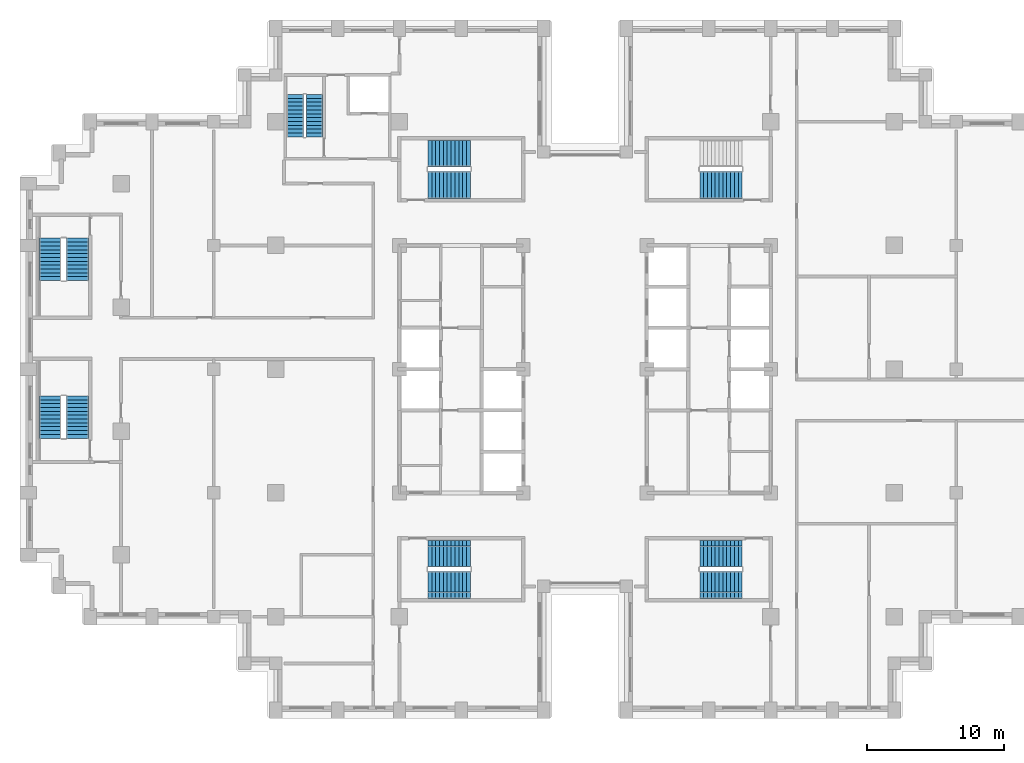
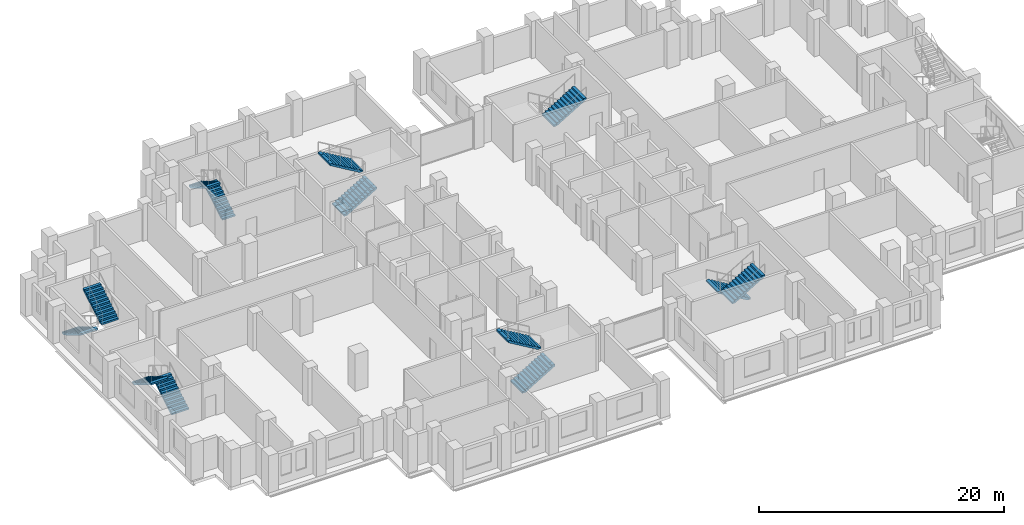
# One storey, part 13 of 16: 13 stair flights, 7 elements without a shape of their own.
"""IFC4 building model written with IfcOpenShell, lengths in metres."""

from ifc_helpers import new_model, si_unit, direction, frame, origin, place, context, subcontext, project, spatial, polyline, outline, extrude, material, type_object, element, aggregate, save


model = new_model("IFC4")

# Units and contexts
model_context = context("Model", 3, precision=1e-05, world=origin(), true_north=direction((0.0, 1.0)))
body_context = subcontext(model_context, "Body", "Model", "MODEL_VIEW")
ifc_project = project(units=[si_unit("LENGTHUNIT", "METRE"), si_unit("AREAUNIT", "SQUARE_METRE"), si_unit("VOLUMEUNIT", "CUBIC_METRE"), si_unit("PLANEANGLEUNIT", "RADIAN"), si_unit("MASSUNIT", "GRAM", prefix="KILO")], contexts=[model_context])

# Site, building, storey
site_placement = place(None, origin())
site = spatial("IfcSite", under=ifc_project, at=site_placement, CompositionType="ELEMENT")
building_placement = place(site_placement, origin())
building = spatial("IfcBuilding", under=site, at=building_placement, Name="Corbelhall Arena Tower", CompositionType="ELEMENT")
storey_placement = place(building_placement, frame((0.0, 0.0, 76.0)))
storey = spatial("IfcBuildingStorey", under=building, at=storey_placement, Name="L11", CompositionType="ELEMENT", Elevation=76.0)

# Stair, stair flights
ifc_material = material(Name="Concrete C40/50", Category="concrete")
stair_type = type_object("IfcStairType", Name="IN-ST-TOWER", PredefinedType="HALF_TURN_STAIR", material=ifc_material)
stair_1_placement = place(storey_placement, origin())
stair_1 = element("IfcStair", 1, at=stair_1_placement, inside=storey, type_object=stair_type, Name="L11 Exit stair ST1", PredefinedType="HALF_TURN_STAIR")
stair_flight_type = type_object("IfcStairFlightType", Name="IN-SFL-RC", PredefinedType="STRAIGHT", material=ifc_material)
stair_flight_1_placement = place(storey_placement, frame((-11.425048828125, 13.39990234375, 0.0), z_axis=(0.0, 0.0, 1.0), x_axis=(1.0, 0.0, 0.0)))
stair_flight_1 = element("IfcStairFlight", 2, at=stair_flight_1_placement, type_object=stair_flight_type, Name="ST1 flight 1", NumberOfRisers=12, NumberOfTreads=11, PredefinedType="STRAIGHT", RiserHeight=0.166666667, TreadLength=0.28, context=body_context, shape_type="SweptSolid", body=[
    extrude(outline(polyline([(0.0, 0.0), (0.0, 0.166748046875), (0.280029296875, 0.166748046875), (0.280029296875, 0.333251953125), (0.56005859375, 0.333251953125), (0.56005859375, 0.5), (0.840087890625, 0.5), (0.840087890625, 0.666748046875), (1.1201171875, 0.666748046875), (1.1201171875, 0.833251953125), (1.39990234375, 0.833251953125), (1.39990234375, 1.0), (1.679931640625, 1.0), (1.679931640625, 1.166748046875), (1.9599609375, 1.166748046875), (1.9599609375, 1.333251953125), (2.239990234375, 1.333251953125), (2.239990234375, 1.5), (2.52001953125, 1.5), (2.52001953125, 1.666748046875), (2.800048828125, 1.666748046875), (2.800048828125, 1.833251953125), (3.080078125, 1.833251953125), (3.080078125, 2.0), (3.080078125, 1.658935546875), (0.29296875, 0.0), (0.0, 0.0)])), frame((0.0, 0.97509765625, 0.0), z_axis=(0.0, -1.0, 0.0), x_axis=(1.0, 0.0, 0.0)), (0.0, 0.0, 1.0), 0.449951171875),
    extrude(outline(polyline([(0.0, 0.0), (0.0, 0.166748046875), (0.280029296875, 0.166748046875), (0.280029296875, 0.333251953125), (0.56005859375, 0.333251953125), (0.56005859375, 0.5), (0.840087890625, 0.5), (0.840087890625, 0.666748046875), (1.1201171875, 0.666748046875), (1.1201171875, 0.833251953125), (1.39990234375, 0.833251953125), (1.39990234375, 1.0), (1.679931640625, 1.0), (1.679931640625, 1.166748046875), (1.9599609375, 1.166748046875), (1.9599609375, 1.333251953125), (2.239990234375, 1.333251953125), (2.239990234375, 1.5), (2.52001953125, 1.5), (2.52001953125, 1.666748046875), (2.800048828125, 1.666748046875), (2.800048828125, 1.833251953125), (3.080078125, 1.833251953125), (3.080078125, 2.0), (3.080078125, 1.658935546875), (0.29296875, 0.0), (0.0, 0.0)])), frame((0.0, 0.52099609375, 0.0), z_axis=(0.0, -1.0, 0.0), x_axis=(1.0, 0.0, 0.0)), (0.0, 0.0, 1.0), 1.0419921875),
    extrude(outline(polyline([(0.0, 0.0), (0.0, 0.166748046875), (0.280029296875, 0.166748046875), (0.280029296875, 0.333251953125), (0.56005859375, 0.333251953125), (0.56005859375, 0.5), (0.840087890625, 0.5), (0.840087890625, 0.666748046875), (1.1201171875, 0.666748046875), (1.1201171875, 0.833251953125), (1.39990234375, 0.833251953125), (1.39990234375, 1.0), (1.679931640625, 1.0), (1.679931640625, 1.166748046875), (1.9599609375, 1.166748046875), (1.9599609375, 1.333251953125), (2.239990234375, 1.333251953125), (2.239990234375, 1.5), (2.52001953125, 1.5), (2.52001953125, 1.666748046875), (2.800048828125, 1.666748046875), (2.800048828125, 1.833251953125), (3.080078125, 1.833251953125), (3.080078125, 2.0), (3.080078125, 1.658935546875), (0.29296875, 0.0), (0.0, 0.0)])), frame((0.0, -0.52490234375, 0.0), z_axis=(0.0, -1.0, 0.0), x_axis=(1.0, 0.0, 0.0)), (0.0, 0.0, 1.0), 0.449951171875),
])
stair_flight_2_placement = place(storey_placement, frame((-8.344970703125, 15.699951171875, 2.0), z_axis=(0.0, 0.0, 1.0), x_axis=(-1.0, 0.0, 0.0)))
stair_flight_2 = element("IfcStairFlight", 3, at=stair_flight_2_placement, type_object=stair_flight_type, Name="ST1 flight 2", NumberOfRisers=12, NumberOfTreads=11, PredefinedType="STRAIGHT", RiserHeight=0.166666667, TreadLength=0.28, context=body_context, shape_type="SweptSolid", body=[
    extrude(outline(polyline([(0.0, 0.0), (0.0, 0.166748046875), (0.280029296875, 0.166748046875), (0.280029296875, 0.333251953125), (0.56005859375, 0.333251953125), (0.56005859375, 0.5), (0.840087890625, 0.5), (0.840087890625, 0.666748046875), (1.1201171875, 0.666748046875), (1.1201171875, 0.833251953125), (1.39990234375, 0.833251953125), (1.39990234375, 1.0), (1.679931640625, 1.0), (1.679931640625, 1.166748046875), (1.9599609375, 1.166748046875), (1.9599609375, 1.333251953125), (2.239990234375, 1.333251953125), (2.239990234375, 1.5), (2.52001953125, 1.5), (2.52001953125, 1.666748046875), (2.800048828125, 1.666748046875), (2.800048828125, 1.833251953125), (3.080078125, 1.833251953125), (3.080078125, 2.0), (3.080078125, 1.658935546875), (0.29296875, 0.0), (0.0, 0.0)])), frame((0.0, 0.97509765625, 0.0), z_axis=(0.0, -1.0, 0.0), x_axis=(1.0, 0.0, 0.0)), (0.0, 0.0, 1.0), 0.449951171875),
    extrude(outline(polyline([(0.0, 0.0), (0.0, 0.166748046875), (0.280029296875, 0.166748046875), (0.280029296875, 0.333251953125), (0.56005859375, 0.333251953125), (0.56005859375, 0.5), (0.840087890625, 0.5), (0.840087890625, 0.666748046875), (1.1201171875, 0.666748046875), (1.1201171875, 0.833251953125), (1.39990234375, 0.833251953125), (1.39990234375, 1.0), (1.679931640625, 1.0), (1.679931640625, 1.166748046875), (1.9599609375, 1.166748046875), (1.9599609375, 1.333251953125), (2.239990234375, 1.333251953125), (2.239990234375, 1.5), (2.52001953125, 1.5), (2.52001953125, 1.666748046875), (2.800048828125, 1.666748046875), (2.800048828125, 1.833251953125), (3.080078125, 1.833251953125), (3.080078125, 2.0), (3.080078125, 1.658935546875), (0.29296875, 0.0), (0.0, 0.0)])), frame((0.0, 0.52099609375, 0.0), z_axis=(0.0, -1.0, 0.0), x_axis=(1.0, 0.0, 0.0)), (0.0, 0.0, 1.0), 1.0419921875),
    extrude(outline(polyline([(0.0, 0.0), (0.0, 0.166748046875), (0.280029296875, 0.166748046875), (0.280029296875, 0.333251953125), (0.56005859375, 0.333251953125), (0.56005859375, 0.5), (0.840087890625, 0.5), (0.840087890625, 0.666748046875), (1.1201171875, 0.666748046875), (1.1201171875, 0.833251953125), (1.39990234375, 0.833251953125), (1.39990234375, 1.0), (1.679931640625, 1.0), (1.679931640625, 1.166748046875), (1.9599609375, 1.166748046875), (1.9599609375, 1.333251953125), (2.239990234375, 1.333251953125), (2.239990234375, 1.5), (2.52001953125, 1.5), (2.52001953125, 1.666748046875), (2.800048828125, 1.666748046875), (2.800048828125, 1.833251953125), (3.080078125, 1.833251953125), (3.080078125, 2.0), (3.080078125, 1.658935546875), (0.29296875, 0.0), (0.0, 0.0)])), frame((0.0, -0.52490234375, 0.0), z_axis=(0.0, -1.0, 0.0), x_axis=(1.0, 0.0, 0.0)), (0.0, 0.0, 1.0), 0.449951171875),
])
aggregate(stair_1, [stair_flight_1, stair_flight_2])

stair_2_placement = place(storey_placement, origin())
stair_2 = element("IfcStair", 4, at=stair_2_placement, inside=storey, type_object=stair_type, Name="L11 Exit stair ST2", PredefinedType="HALF_TURN_STAIR")
stair_flight_3_placement = place(storey_placement, frame((-11.425048828125, -15.699951171875, 0.0), z_axis=(0.0, 0.0, 1.0), x_axis=(1.0, 0.0, 0.0)))
stair_flight_3 = element("IfcStairFlight", 5, at=stair_flight_3_placement, type_object=stair_flight_type, Name="ST2 flight 1", NumberOfRisers=12, NumberOfTreads=11, PredefinedType="STRAIGHT", RiserHeight=0.166666667, TreadLength=0.28, context=body_context, shape_type="SweptSolid", body=[
    extrude(outline(polyline([(0.0, 0.0), (0.0, 0.166748046875), (0.280029296875, 0.166748046875), (0.280029296875, 0.333251953125), (0.56005859375, 0.333251953125), (0.56005859375, 0.5), (0.840087890625, 0.5), (0.840087890625, 0.666748046875), (1.1201171875, 0.666748046875), (1.1201171875, 0.833251953125), (1.39990234375, 0.833251953125), (1.39990234375, 1.0), (1.679931640625, 1.0), (1.679931640625, 1.166748046875), (1.9599609375, 1.166748046875), (1.9599609375, 1.333251953125), (2.239990234375, 1.333251953125), (2.239990234375, 1.5), (2.52001953125, 1.5), (2.52001953125, 1.666748046875), (2.800048828125, 1.666748046875), (2.800048828125, 1.833251953125), (3.080078125, 1.833251953125), (3.080078125, 2.0), (3.080078125, 1.658935546875), (0.29296875, 0.0), (0.0, 0.0)])), frame((0.0, 0.97509765625, 0.0), z_axis=(0.0, -1.0, 0.0), x_axis=(1.0, 0.0, 0.0)), (0.0, 0.0, 1.0), 0.449951171875),
    extrude(outline(polyline([(0.0, 0.0), (0.0, 0.166748046875), (0.280029296875, 0.166748046875), (0.280029296875, 0.333251953125), (0.56005859375, 0.333251953125), (0.56005859375, 0.5), (0.840087890625, 0.5), (0.840087890625, 0.666748046875), (1.1201171875, 0.666748046875), (1.1201171875, 0.833251953125), (1.39990234375, 0.833251953125), (1.39990234375, 1.0), (1.679931640625, 1.0), (1.679931640625, 1.166748046875), (1.9599609375, 1.166748046875), (1.9599609375, 1.333251953125), (2.239990234375, 1.333251953125), (2.239990234375, 1.5), (2.52001953125, 1.5), (2.52001953125, 1.666748046875), (2.800048828125, 1.666748046875), (2.800048828125, 1.833251953125), (3.080078125, 1.833251953125), (3.080078125, 2.0), (3.080078125, 1.658935546875), (0.29296875, 0.0), (0.0, 0.0)])), frame((0.0, 0.52099609375, 0.0), z_axis=(0.0, -1.0, 0.0), x_axis=(1.0, 0.0, 0.0)), (0.0, 0.0, 1.0), 1.0419921875),
    extrude(outline(polyline([(0.0, 0.0), (0.0, 0.166748046875), (0.280029296875, 0.166748046875), (0.280029296875, 0.333251953125), (0.56005859375, 0.333251953125), (0.56005859375, 0.5), (0.840087890625, 0.5), (0.840087890625, 0.666748046875), (1.1201171875, 0.666748046875), (1.1201171875, 0.833251953125), (1.39990234375, 0.833251953125), (1.39990234375, 1.0), (1.679931640625, 1.0), (1.679931640625, 1.166748046875), (1.9599609375, 1.166748046875), (1.9599609375, 1.333251953125), (2.239990234375, 1.333251953125), (2.239990234375, 1.5), (2.52001953125, 1.5), (2.52001953125, 1.666748046875), (2.800048828125, 1.666748046875), (2.800048828125, 1.833251953125), (3.080078125, 1.833251953125), (3.080078125, 2.0), (3.080078125, 1.658935546875), (0.29296875, 0.0), (0.0, 0.0)])), frame((0.0, -0.52490234375, 0.0), z_axis=(0.0, -1.0, 0.0), x_axis=(1.0, 0.0, 0.0)), (0.0, 0.0, 1.0), 0.449951171875),
])
stair_flight_4_placement = place(storey_placement, frame((-8.344970703125, -13.39990234375, 2.0), z_axis=(0.0, 0.0, 1.0), x_axis=(-1.0, 0.0, 0.0)))
stair_flight_4 = element("IfcStairFlight", 6, at=stair_flight_4_placement, type_object=stair_flight_type, Name="ST2 flight 2", NumberOfRisers=12, NumberOfTreads=11, PredefinedType="STRAIGHT", RiserHeight=0.166666667, TreadLength=0.28, context=body_context, shape_type="SweptSolid", body=[
    extrude(outline(polyline([(0.0, 0.0), (0.0, 0.166748046875), (0.280029296875, 0.166748046875), (0.280029296875, 0.333251953125), (0.56005859375, 0.333251953125), (0.56005859375, 0.5), (0.840087890625, 0.5), (0.840087890625, 0.666748046875), (1.1201171875, 0.666748046875), (1.1201171875, 0.833251953125), (1.39990234375, 0.833251953125), (1.39990234375, 1.0), (1.679931640625, 1.0), (1.679931640625, 1.166748046875), (1.9599609375, 1.166748046875), (1.9599609375, 1.333251953125), (2.239990234375, 1.333251953125), (2.239990234375, 1.5), (2.52001953125, 1.5), (2.52001953125, 1.666748046875), (2.800048828125, 1.666748046875), (2.800048828125, 1.833251953125), (3.080078125, 1.833251953125), (3.080078125, 2.0), (3.080078125, 1.658935546875), (0.29296875, 0.0), (0.0, 0.0)])), frame((0.0, 0.97509765625, 0.0), z_axis=(0.0, -1.0, 0.0), x_axis=(1.0, 0.0, 0.0)), (0.0, 0.0, 1.0), 0.449951171875),
    extrude(outline(polyline([(0.0, 0.0), (0.0, 0.166748046875), (0.280029296875, 0.166748046875), (0.280029296875, 0.333251953125), (0.56005859375, 0.333251953125), (0.56005859375, 0.5), (0.840087890625, 0.5), (0.840087890625, 0.666748046875), (1.1201171875, 0.666748046875), (1.1201171875, 0.833251953125), (1.39990234375, 0.833251953125), (1.39990234375, 1.0), (1.679931640625, 1.0), (1.679931640625, 1.166748046875), (1.9599609375, 1.166748046875), (1.9599609375, 1.333251953125), (2.239990234375, 1.333251953125), (2.239990234375, 1.5), (2.52001953125, 1.5), (2.52001953125, 1.666748046875), (2.800048828125, 1.666748046875), (2.800048828125, 1.833251953125), (3.080078125, 1.833251953125), (3.080078125, 2.0), (3.080078125, 1.658935546875), (0.29296875, 0.0), (0.0, 0.0)])), frame((0.0, 0.52099609375, 0.0), z_axis=(0.0, -1.0, 0.0), x_axis=(1.0, 0.0, 0.0)), (0.0, 0.0, 1.0), 1.0419921875),
    extrude(outline(polyline([(0.0, 0.0), (0.0, 0.166748046875), (0.280029296875, 0.166748046875), (0.280029296875, 0.333251953125), (0.56005859375, 0.333251953125), (0.56005859375, 0.5), (0.840087890625, 0.5), (0.840087890625, 0.666748046875), (1.1201171875, 0.666748046875), (1.1201171875, 0.833251953125), (1.39990234375, 0.833251953125), (1.39990234375, 1.0), (1.679931640625, 1.0), (1.679931640625, 1.166748046875), (1.9599609375, 1.166748046875), (1.9599609375, 1.333251953125), (2.239990234375, 1.333251953125), (2.239990234375, 1.5), (2.52001953125, 1.5), (2.52001953125, 1.666748046875), (2.800048828125, 1.666748046875), (2.800048828125, 1.833251953125), (3.080078125, 1.833251953125), (3.080078125, 2.0), (3.080078125, 1.658935546875), (0.29296875, 0.0), (0.0, 0.0)])), frame((0.0, -0.52490234375, 0.0), z_axis=(0.0, -1.0, 0.0), x_axis=(1.0, 0.0, 0.0)), (0.0, 0.0, 1.0), 0.449951171875),
])
aggregate(stair_2, [stair_flight_3, stair_flight_4])

# Stair, stair flight
stair_3_placement = place(storey_placement, origin())
stair_3 = element("IfcStair", 7, at=stair_3_placement, inside=storey, type_object=stair_type, Name="L11 Exit stair ST3", PredefinedType="HALF_TURN_STAIR")
stair_flight_5_placement = place(storey_placement, frame((8.344970703125, 13.39990234375, 2.0), z_axis=(0.0, 0.0, 1.0), x_axis=(1.0, 0.0, 0.0)))
stair_flight_5 = element("IfcStairFlight", 8, at=stair_flight_5_placement, type_object=stair_flight_type, Name="ST3 flight 2", NumberOfRisers=12, NumberOfTreads=11, PredefinedType="STRAIGHT", RiserHeight=0.166666667, TreadLength=0.28, context=body_context, shape_type="SweptSolid", body=[
    extrude(outline(polyline([(0.0, 0.0), (0.0, 0.166748046875), (0.280029296875, 0.166748046875), (0.280029296875, 0.333251953125), (0.56005859375, 0.333251953125), (0.56005859375, 0.5), (0.840087890625, 0.5), (0.840087890625, 0.666748046875), (1.1201171875, 0.666748046875), (1.1201171875, 0.833251953125), (1.39990234375, 0.833251953125), (1.39990234375, 1.0), (1.679931640625, 1.0), (1.679931640625, 1.166748046875), (1.9599609375, 1.166748046875), (1.9599609375, 1.333251953125), (2.239990234375, 1.333251953125), (2.239990234375, 1.5), (2.52001953125, 1.5), (2.52001953125, 1.666748046875), (2.800048828125, 1.666748046875), (2.800048828125, 1.833251953125), (3.080078125, 1.833251953125), (3.080078125, 2.0), (3.080078125, 1.658935546875), (0.29296875, 0.0), (0.0, 0.0)])), frame((0.0, 0.97509765625, 0.0), z_axis=(0.0, -1.0, 0.0), x_axis=(1.0, 0.0, 0.0)), (0.0, 0.0, 1.0), 0.449951171875),
    extrude(outline(polyline([(0.0, 0.0), (0.0, 0.166748046875), (0.280029296875, 0.166748046875), (0.280029296875, 0.333251953125), (0.56005859375, 0.333251953125), (0.56005859375, 0.5), (0.840087890625, 0.5), (0.840087890625, 0.666748046875), (1.1201171875, 0.666748046875), (1.1201171875, 0.833251953125), (1.39990234375, 0.833251953125), (1.39990234375, 1.0), (1.679931640625, 1.0), (1.679931640625, 1.166748046875), (1.9599609375, 1.166748046875), (1.9599609375, 1.333251953125), (2.239990234375, 1.333251953125), (2.239990234375, 1.5), (2.52001953125, 1.5), (2.52001953125, 1.666748046875), (2.800048828125, 1.666748046875), (2.800048828125, 1.833251953125), (3.080078125, 1.833251953125), (3.080078125, 2.0), (3.080078125, 1.658935546875), (0.29296875, 0.0), (0.0, 0.0)])), frame((0.0, 0.52099609375, 0.0), z_axis=(0.0, -1.0, 0.0), x_axis=(1.0, 0.0, 0.0)), (0.0, 0.0, 1.0), 1.0419921875),
    extrude(outline(polyline([(0.0, 0.0), (0.0, 0.166748046875), (0.280029296875, 0.166748046875), (0.280029296875, 0.333251953125), (0.56005859375, 0.333251953125), (0.56005859375, 0.5), (0.840087890625, 0.5), (0.840087890625, 0.666748046875), (1.1201171875, 0.666748046875), (1.1201171875, 0.833251953125), (1.39990234375, 0.833251953125), (1.39990234375, 1.0), (1.679931640625, 1.0), (1.679931640625, 1.166748046875), (1.9599609375, 1.166748046875), (1.9599609375, 1.333251953125), (2.239990234375, 1.333251953125), (2.239990234375, 1.5), (2.52001953125, 1.5), (2.52001953125, 1.666748046875), (2.800048828125, 1.666748046875), (2.800048828125, 1.833251953125), (3.080078125, 1.833251953125), (3.080078125, 2.0), (3.080078125, 1.658935546875), (0.29296875, 0.0), (0.0, 0.0)])), frame((0.0, -0.52490234375, 0.0), z_axis=(0.0, -1.0, 0.0), x_axis=(1.0, 0.0, 0.0)), (0.0, 0.0, 1.0), 0.449951171875),
])
aggregate(stair_3, [stair_flight_5])

# Stair, stair flights
stair_4_placement = place(storey_placement, origin())
stair_4 = element("IfcStair", 9, at=stair_4_placement, inside=storey, type_object=stair_type, Name="L11 Exit stair ST4", PredefinedType="HALF_TURN_STAIR")
stair_flight_6_placement = place(storey_placement, frame((11.425048828125, -13.39990234375, 0.0), z_axis=(0.0, 0.0, 1.0), x_axis=(-1.0, 0.0, 0.0)))
stair_flight_6 = element("IfcStairFlight", 10, at=stair_flight_6_placement, type_object=stair_flight_type, Name="ST4 flight 1", NumberOfRisers=12, NumberOfTreads=11, PredefinedType="STRAIGHT", RiserHeight=0.166666667, TreadLength=0.28, context=body_context, shape_type="SweptSolid", body=[
    extrude(outline(polyline([(0.0, 0.0), (0.0, 0.166748046875), (0.280029296875, 0.166748046875), (0.280029296875, 0.333251953125), (0.56005859375, 0.333251953125), (0.56005859375, 0.5), (0.840087890625, 0.5), (0.840087890625, 0.666748046875), (1.1201171875, 0.666748046875), (1.1201171875, 0.833251953125), (1.39990234375, 0.833251953125), (1.39990234375, 1.0), (1.679931640625, 1.0), (1.679931640625, 1.166748046875), (1.9599609375, 1.166748046875), (1.9599609375, 1.333251953125), (2.239990234375, 1.333251953125), (2.239990234375, 1.5), (2.52001953125, 1.5), (2.52001953125, 1.666748046875), (2.800048828125, 1.666748046875), (2.800048828125, 1.833251953125), (3.080078125, 1.833251953125), (3.080078125, 2.0), (3.080078125, 1.658935546875), (0.29296875, 0.0), (0.0, 0.0)])), frame((0.0, 0.97509765625, 0.0), z_axis=(0.0, -1.0, 0.0), x_axis=(1.0, 0.0, 0.0)), (0.0, 0.0, 1.0), 0.449951171875),
    extrude(outline(polyline([(0.0, 0.0), (0.0, 0.166748046875), (0.280029296875, 0.166748046875), (0.280029296875, 0.333251953125), (0.56005859375, 0.333251953125), (0.56005859375, 0.5), (0.840087890625, 0.5), (0.840087890625, 0.666748046875), (1.1201171875, 0.666748046875), (1.1201171875, 0.833251953125), (1.39990234375, 0.833251953125), (1.39990234375, 1.0), (1.679931640625, 1.0), (1.679931640625, 1.166748046875), (1.9599609375, 1.166748046875), (1.9599609375, 1.333251953125), (2.239990234375, 1.333251953125), (2.239990234375, 1.5), (2.52001953125, 1.5), (2.52001953125, 1.666748046875), (2.800048828125, 1.666748046875), (2.800048828125, 1.833251953125), (3.080078125, 1.833251953125), (3.080078125, 2.0), (3.080078125, 1.658935546875), (0.29296875, 0.0), (0.0, 0.0)])), frame((0.0, 0.52099609375, 0.0), z_axis=(0.0, -1.0, 0.0), x_axis=(1.0, 0.0, 0.0)), (0.0, 0.0, 1.0), 1.0419921875),
    extrude(outline(polyline([(0.0, 0.0), (0.0, 0.166748046875), (0.280029296875, 0.166748046875), (0.280029296875, 0.333251953125), (0.56005859375, 0.333251953125), (0.56005859375, 0.5), (0.840087890625, 0.5), (0.840087890625, 0.666748046875), (1.1201171875, 0.666748046875), (1.1201171875, 0.833251953125), (1.39990234375, 0.833251953125), (1.39990234375, 1.0), (1.679931640625, 1.0), (1.679931640625, 1.166748046875), (1.9599609375, 1.166748046875), (1.9599609375, 1.333251953125), (2.239990234375, 1.333251953125), (2.239990234375, 1.5), (2.52001953125, 1.5), (2.52001953125, 1.666748046875), (2.800048828125, 1.666748046875), (2.800048828125, 1.833251953125), (3.080078125, 1.833251953125), (3.080078125, 2.0), (3.080078125, 1.658935546875), (0.29296875, 0.0), (0.0, 0.0)])), frame((0.0, -0.52490234375, 0.0), z_axis=(0.0, -1.0, 0.0), x_axis=(1.0, 0.0, 0.0)), (0.0, 0.0, 1.0), 0.449951171875),
])
stair_flight_7_placement = place(storey_placement, frame((8.344970703125, -15.699951171875, 2.0), z_axis=(0.0, 0.0, 1.0), x_axis=(1.0, 0.0, 0.0)))
stair_flight_7 = element("IfcStairFlight", 11, at=stair_flight_7_placement, type_object=stair_flight_type, Name="ST4 flight 2", NumberOfRisers=12, NumberOfTreads=11, PredefinedType="STRAIGHT", RiserHeight=0.166666667, TreadLength=0.28, context=body_context, shape_type="SweptSolid", body=[
    extrude(outline(polyline([(0.0, 0.0), (0.0, 0.166748046875), (0.280029296875, 0.166748046875), (0.280029296875, 0.333251953125), (0.56005859375, 0.333251953125), (0.56005859375, 0.5), (0.840087890625, 0.5), (0.840087890625, 0.666748046875), (1.1201171875, 0.666748046875), (1.1201171875, 0.833251953125), (1.39990234375, 0.833251953125), (1.39990234375, 1.0), (1.679931640625, 1.0), (1.679931640625, 1.166748046875), (1.9599609375, 1.166748046875), (1.9599609375, 1.333251953125), (2.239990234375, 1.333251953125), (2.239990234375, 1.5), (2.52001953125, 1.5), (2.52001953125, 1.666748046875), (2.800048828125, 1.666748046875), (2.800048828125, 1.833251953125), (3.080078125, 1.833251953125), (3.080078125, 2.0), (3.080078125, 1.658935546875), (0.29296875, 0.0), (0.0, 0.0)])), frame((0.0, 0.97509765625, 0.0), z_axis=(0.0, -1.0, 0.0), x_axis=(1.0, 0.0, 0.0)), (0.0, 0.0, 1.0), 0.449951171875),
    extrude(outline(polyline([(0.0, 0.0), (0.0, 0.166748046875), (0.280029296875, 0.166748046875), (0.280029296875, 0.333251953125), (0.56005859375, 0.333251953125), (0.56005859375, 0.5), (0.840087890625, 0.5), (0.840087890625, 0.666748046875), (1.1201171875, 0.666748046875), (1.1201171875, 0.833251953125), (1.39990234375, 0.833251953125), (1.39990234375, 1.0), (1.679931640625, 1.0), (1.679931640625, 1.166748046875), (1.9599609375, 1.166748046875), (1.9599609375, 1.333251953125), (2.239990234375, 1.333251953125), (2.239990234375, 1.5), (2.52001953125, 1.5), (2.52001953125, 1.666748046875), (2.800048828125, 1.666748046875), (2.800048828125, 1.833251953125), (3.080078125, 1.833251953125), (3.080078125, 2.0), (3.080078125, 1.658935546875), (0.29296875, 0.0), (0.0, 0.0)])), frame((0.0, 0.52099609375, 0.0), z_axis=(0.0, -1.0, 0.0), x_axis=(1.0, 0.0, 0.0)), (0.0, 0.0, 1.0), 1.0419921875),
    extrude(outline(polyline([(0.0, 0.0), (0.0, 0.166748046875), (0.280029296875, 0.166748046875), (0.280029296875, 0.333251953125), (0.56005859375, 0.333251953125), (0.56005859375, 0.5), (0.840087890625, 0.5), (0.840087890625, 0.666748046875), (1.1201171875, 0.666748046875), (1.1201171875, 0.833251953125), (1.39990234375, 0.833251953125), (1.39990234375, 1.0), (1.679931640625, 1.0), (1.679931640625, 1.166748046875), (1.9599609375, 1.166748046875), (1.9599609375, 1.333251953125), (2.239990234375, 1.333251953125), (2.239990234375, 1.5), (2.52001953125, 1.5), (2.52001953125, 1.666748046875), (2.800048828125, 1.666748046875), (2.800048828125, 1.833251953125), (3.080078125, 1.833251953125), (3.080078125, 2.0), (3.080078125, 1.658935546875), (0.29296875, 0.0), (0.0, 0.0)])), frame((0.0, -0.52490234375, 0.0), z_axis=(0.0, -1.0, 0.0), x_axis=(1.0, 0.0, 0.0)), (0.0, 0.0, 1.0), 0.449951171875),
])
aggregate(stair_4, [stair_flight_6, stair_flight_7])

stair_5_placement = place(storey_placement, origin())
stair_5 = element("IfcStair", 12, at=stair_5_placement, inside=storey, type_object=stair_type, Name="L11 Exit stair SC1", PredefinedType="HALF_TURN_STAIR")
stair_flight_8_placement = place(storey_placement, frame((-38.89990234375, 9.52490234375, 0.0), z_axis=(0.0, 0.0, 1.0), x_axis=(0.0, -1.0, 0.0)))
stair_flight_8 = element("IfcStairFlight", 13, at=stair_flight_8_placement, type_object=stair_flight_type, Name="SC1 flight 1", NumberOfRisers=12, NumberOfTreads=11, PredefinedType="STRAIGHT", RiserHeight=0.166666667, TreadLength=0.28, context=body_context, shape_type="SweptSolid", body=[
    extrude(outline(polyline([(0.0, 0.0), (0.0, 0.166748046875), (0.280029296875, 0.166748046875), (0.280029296875, 0.333251953125), (0.56005859375, 0.333251953125), (0.56005859375, 0.5), (0.840087890625, 0.5), (0.840087890625, 0.666748046875), (1.1201171875, 0.666748046875), (1.1201171875, 0.833251953125), (1.39990234375, 0.833251953125), (1.39990234375, 1.0), (1.679931640625, 1.0), (1.679931640625, 1.166748046875), (1.9599609375, 1.166748046875), (1.9599609375, 1.333251953125), (2.239990234375, 1.333251953125), (2.239990234375, 1.5), (2.52001953125, 1.5), (2.52001953125, 1.666748046875), (2.800048828125, 1.666748046875), (2.800048828125, 1.833251953125), (3.080078125, 1.833251953125), (3.080078125, 2.0), (3.080078125, 1.658935546875), (0.29296875, 0.0), (0.0, 0.0)])), frame((0.0, 0.800048828125, 0.0), z_axis=(0.0, -1.0, 0.0), x_axis=(1.0, 0.0, 0.0)), (0.0, 0.0, 1.0), 1.60009765625),
])
stair_flight_9_placement = place(storey_placement, frame((-36.925048828125, 6.445068359375, 2.0), z_axis=(0.0, 0.0, 1.0), x_axis=(0.0, 1.0, 0.0)))
stair_flight_9 = element("IfcStairFlight", 14, at=stair_flight_9_placement, type_object=stair_flight_type, Name="SC1 flight 2", NumberOfRisers=12, NumberOfTreads=11, PredefinedType="STRAIGHT", RiserHeight=0.166666667, TreadLength=0.28, context=body_context, shape_type="SweptSolid", body=[
    extrude(outline(polyline([(0.0, 0.0), (0.0, 0.166748046875), (0.280029296875, 0.166748046875), (0.280029296875, 0.333251953125), (0.56005859375, 0.333251953125), (0.56005859375, 0.5), (0.840087890625, 0.5), (0.840087890625, 0.666748046875), (1.1201171875, 0.666748046875), (1.1201171875, 0.833251953125), (1.39990234375, 0.833251953125), (1.39990234375, 1.0), (1.679931640625, 1.0), (1.679931640625, 1.166748046875), (1.9599609375, 1.166748046875), (1.9599609375, 1.333251953125), (2.239990234375, 1.333251953125), (2.239990234375, 1.5), (2.52001953125, 1.5), (2.52001953125, 1.666748046875), (2.800048828125, 1.666748046875), (2.800048828125, 1.833251953125), (3.080078125, 1.833251953125), (3.080078125, 2.0), (3.080078125, 1.658935546875), (0.29296875, 0.0), (0.0, 0.0)])), frame((0.0, 0.800048828125, 0.0), z_axis=(0.0, -1.0, 0.0), x_axis=(1.0, 0.0, 0.0)), (0.0, 0.0, 1.0), 1.60009765625),
])
aggregate(stair_5, [stair_flight_8, stair_flight_9])

stair_6_placement = place(storey_placement, origin())
stair_6 = element("IfcStair", 15, at=stair_6_placement, inside=storey, type_object=stair_type, Name="L11 Exit stair SC2", PredefinedType="HALF_TURN_STAIR")
stair_flight_10_placement = place(storey_placement, frame((-36.925048828125, -5.02490234375, 0.0), z_axis=(0.0, 0.0, 1.0), x_axis=(0.0, 1.0, 0.0)))
stair_flight_10 = element("IfcStairFlight", 16, at=stair_flight_10_placement, type_object=stair_flight_type, Name="SC2 flight 1", NumberOfRisers=12, NumberOfTreads=11, PredefinedType="STRAIGHT", RiserHeight=0.166666667, TreadLength=0.28, context=body_context, shape_type="SweptSolid", body=[
    extrude(outline(polyline([(0.0, 0.0), (0.0, 0.166748046875), (0.280029296875, 0.166748046875), (0.280029296875, 0.333251953125), (0.56005859375, 0.333251953125), (0.56005859375, 0.5), (0.840087890625, 0.5), (0.840087890625, 0.666748046875), (1.1201171875, 0.666748046875), (1.1201171875, 0.833251953125), (1.39990234375, 0.833251953125), (1.39990234375, 1.0), (1.679931640625, 1.0), (1.679931640625, 1.166748046875), (1.9599609375, 1.166748046875), (1.9599609375, 1.333251953125), (2.239990234375, 1.333251953125), (2.239990234375, 1.5), (2.52001953125, 1.5), (2.52001953125, 1.666748046875), (2.800048828125, 1.666748046875), (2.800048828125, 1.833251953125), (3.080078125, 1.833251953125), (3.080078125, 2.0), (3.080078125, 1.658935546875), (0.29296875, 0.0), (0.0, 0.0)])), frame((0.0, 0.800048828125, 0.0), z_axis=(0.0, -1.0, 0.0), x_axis=(1.0, 0.0, 0.0)), (0.0, 0.0, 1.0), 1.60009765625),
])
stair_flight_11_placement = place(storey_placement, frame((-38.89990234375, -1.945068359375, 2.0), z_axis=(0.0, 0.0, 1.0), x_axis=(0.0, -1.0, 0.0)))
stair_flight_11 = element("IfcStairFlight", 17, at=stair_flight_11_placement, type_object=stair_flight_type, Name="SC2 flight 2", NumberOfRisers=12, NumberOfTreads=11, PredefinedType="STRAIGHT", RiserHeight=0.166666667, TreadLength=0.28, context=body_context, shape_type="SweptSolid", body=[
    extrude(outline(polyline([(0.0, 0.0), (0.0, 0.166748046875), (0.280029296875, 0.166748046875), (0.280029296875, 0.333251953125), (0.56005859375, 0.333251953125), (0.56005859375, 0.5), (0.840087890625, 0.5), (0.840087890625, 0.666748046875), (1.1201171875, 0.666748046875), (1.1201171875, 0.833251953125), (1.39990234375, 0.833251953125), (1.39990234375, 1.0), (1.679931640625, 1.0), (1.679931640625, 1.166748046875), (1.9599609375, 1.166748046875), (1.9599609375, 1.333251953125), (2.239990234375, 1.333251953125), (2.239990234375, 1.5), (2.52001953125, 1.5), (2.52001953125, 1.666748046875), (2.800048828125, 1.666748046875), (2.800048828125, 1.833251953125), (3.080078125, 1.833251953125), (3.080078125, 2.0), (3.080078125, 1.658935546875), (0.29296875, 0.0), (0.0, 0.0)])), frame((0.0, 0.800048828125, 0.0), z_axis=(0.0, -1.0, 0.0), x_axis=(1.0, 0.0, 0.0)), (0.0, 0.0, 1.0), 1.60009765625),
])
aggregate(stair_6, [stair_flight_10, stair_flight_11])

stair_7_placement = place(storey_placement, origin())
stair_7 = element("IfcStair", 18, at=stair_7_placement, inside=storey, type_object=stair_type, Name="L11 Exit stair ST5", PredefinedType="HALF_TURN_STAIR")
stair_flight_12_placement = place(storey_placement, frame((-19.695068359375, 16.89990234375, 0.0), z_axis=(0.0, 0.0, 1.0), x_axis=(0.0, 1.0, 0.0)))
stair_flight_12 = element("IfcStairFlight", 19, at=stair_flight_12_placement, type_object=stair_flight_type, Name="ST5 flight 1", NumberOfRisers=12, NumberOfTreads=11, PredefinedType="STRAIGHT", RiserHeight=0.166666667, TreadLength=0.28, context=body_context, shape_type="SweptSolid", body=[
    extrude(outline(polyline([(0.0, 0.0), (0.0, 0.166748046875), (0.280029296875, 0.166748046875), (0.280029296875, 0.333251953125), (0.56005859375, 0.333251953125), (0.56005859375, 0.5), (0.840087890625, 0.5), (0.840087890625, 0.666748046875), (1.1201171875, 0.666748046875), (1.1201171875, 0.833251953125), (1.39990234375, 0.833251953125), (1.39990234375, 1.0), (1.679931640625, 1.0), (1.679931640625, 1.166748046875), (1.9599609375, 1.166748046875), (1.9599609375, 1.333251953125), (2.239990234375, 1.333251953125), (2.239990234375, 1.5), (2.52001953125, 1.5), (2.52001953125, 1.666748046875), (2.800048828125, 1.666748046875), (2.800048828125, 1.833251953125), (3.080078125, 1.833251953125), (3.080078125, 2.0), (3.080078125, 1.658935546875), (0.29296875, 0.0), (0.0, 0.0)])), frame((0.0, 0.60009765625, 0.0), z_axis=(0.0, -1.0, 0.0), x_axis=(1.0, 0.0, 0.0)), (0.0, 0.0, 1.0), 1.199951171875),
])
stair_flight_13_placement = place(storey_placement, frame((-21.094970703125, 19.97998046875, 2.0), z_axis=(0.0, 0.0, 1.0), x_axis=(0.0, -1.0, 0.0)))
stair_flight_13 = element("IfcStairFlight", 20, at=stair_flight_13_placement, type_object=stair_flight_type, Name="ST5 flight 2", NumberOfRisers=12, NumberOfTreads=11, PredefinedType="STRAIGHT", RiserHeight=0.166666667, TreadLength=0.28, context=body_context, shape_type="SweptSolid", body=[
    extrude(outline(polyline([(0.0, 0.0), (0.0, 0.166748046875), (0.280029296875, 0.166748046875), (0.280029296875, 0.333251953125), (0.56005859375, 0.333251953125), (0.56005859375, 0.5), (0.840087890625, 0.5), (0.840087890625, 0.666748046875), (1.1201171875, 0.666748046875), (1.1201171875, 0.833251953125), (1.39990234375, 0.833251953125), (1.39990234375, 1.0), (1.679931640625, 1.0), (1.679931640625, 1.166748046875), (1.9599609375, 1.166748046875), (1.9599609375, 1.333251953125), (2.239990234375, 1.333251953125), (2.239990234375, 1.5), (2.52001953125, 1.5), (2.52001953125, 1.666748046875), (2.800048828125, 1.666748046875), (2.800048828125, 1.833251953125), (3.080078125, 1.833251953125), (3.080078125, 2.0), (3.080078125, 1.658935546875), (0.29296875, 0.0), (0.0, 0.0)])), frame((0.0, 0.60009765625, 0.0), z_axis=(0.0, -1.0, 0.0), x_axis=(1.0, 0.0, 0.0)), (0.0, 0.0, 1.0), 1.199951171875),
])
aggregate(stair_7, [stair_flight_12, stair_flight_13])

save(model, "model.ifc")
